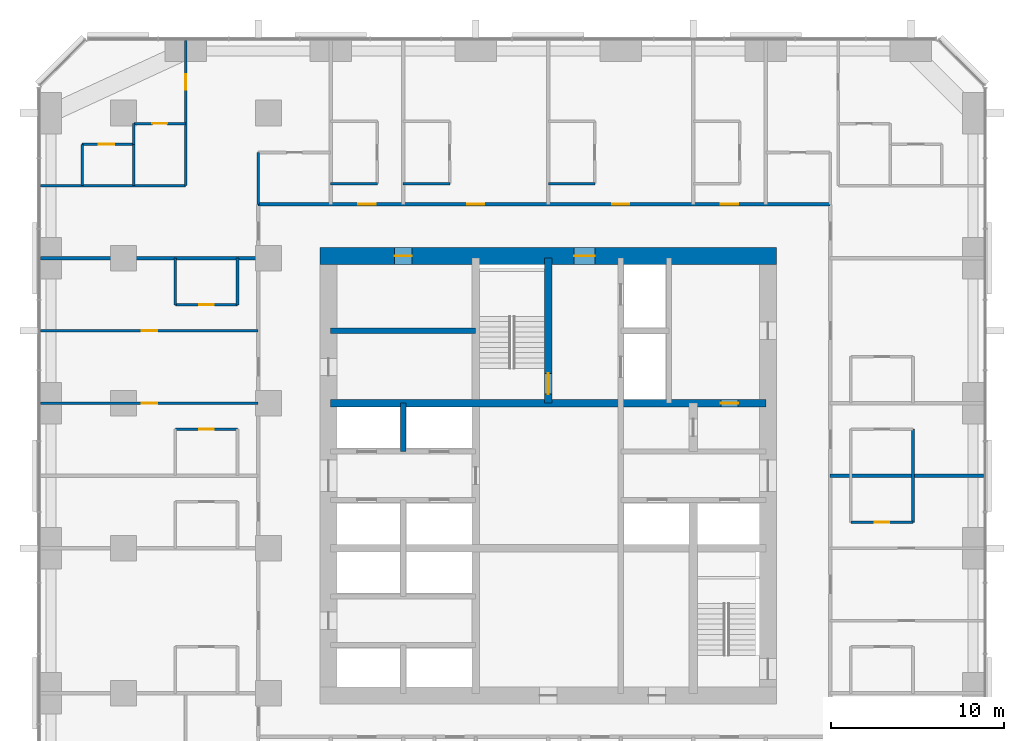
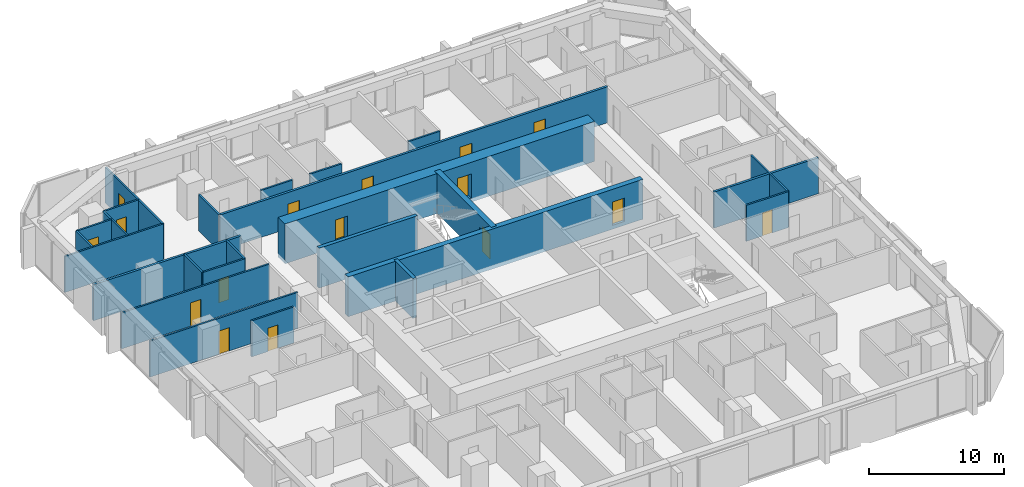
# One storey, part 11 of 14: 27 walls, 16 doors, 16 openings.
"""IFC4 building model written with IfcOpenShell, lengths in metres."""

from ifc_helpers import new_model, si_unit, direction, frame, frame_2d, origin, place, context, subcontext, project, spatial, rectangle, extrude, material, layer, layer_set, type_object, element, fill, save


model = new_model("IFC4")

# Units and contexts
model_context = context("Model", 3, precision=1e-05, world=origin(), true_north=direction((0.0, 1.0)))
body_context = subcontext(model_context, "Body", "Model", "MODEL_VIEW")
ifc_project = project(units=[si_unit("LENGTHUNIT", "METRE"), si_unit("AREAUNIT", "SQUARE_METRE"), si_unit("VOLUMEUNIT", "CUBIC_METRE"), si_unit("PLANEANGLEUNIT", "RADIAN"), si_unit("MASSUNIT", "GRAM", prefix="KILO")], contexts=[model_context])

# Site, building, storey
site_placement = place(None, origin())
site = spatial("IfcSite", under=ifc_project, at=site_placement, CompositionType="ELEMENT")
building_placement = place(site_placement, origin())
building = spatial("IfcBuilding", under=site, at=building_placement, Name="Dunama Terrace Hotel", CompositionType="ELEMENT")
storey_placement = place(building_placement, frame((0.0, 0.0, 140.39990234375)))
storey = spatial("IfcBuildingStorey", under=building, at=storey_placement, Name="L36", CompositionType="ELEMENT", Elevation=140.39990234375)

# Walls
ifc_material_1 = material(Name="Gypsum board partition", Category="masonry")
ifc_layer_1 = layer(ifc_material_1, 0.14990234375)
ifc_layer_set_1 = layer_set([ifc_layer_1], Name="Bathroom partition 150")
wall_type_1 = type_object("IfcWallType", Name="Bathroom partition 150", PredefinedType="PARTITIONING", material=ifc_layer_set_1)
wall_1_placement = place(storey_placement, frame((5.39990234375, 48.60009765625, 0.0), z_axis=(0.0, 0.0, 1.0), x_axis=(0.0, 1.0, 0.0)))
element("IfcWall", 1, at=wall_1_placement, inside=storey, type_object=wall_type_1, Name="Bathroom partition 150 L36", PredefinedType="PARTITIONING", context=body_context, shape_type="SweptSolid", body=[
    extrude(rectangle(XDim=1.199951171875, YDim=0.14990234375, at=frame_2d((0.60009765625, 0.0))), origin(), (0.0, 0.0, 1.0), 3.25),
])
for number, where, z_axis, x_axis, name in (
    (2, (7.800048828125, 39.300048828125, 0.0), (0.0, 0.0, 1.0), (0.0, 1.0, 0.0), "Bathroom partition 150 L36"),
    (3, (11.39990234375, 39.300048828125, 0.0), (0.0, 0.0, 1.0), (0.0, 1.0, 0.0), "Bathroom partition 150 L36"),
):
    element("IfcWall", number, at=place(storey_placement, frame(where, z_axis=z_axis, x_axis=x_axis)), inside=storey, type_object=wall_type_1, Name=name, PredefinedType="PARTITIONING", context=body_context, shape_type="SweptSolid", body=[
        extrude(rectangle(XDim=2.699951171875, YDim=0.14990234375, at=frame_2d((1.35009765625, 0.0))), origin(), (0.0, 0.0, 1.0), 3.25),
    ])
wall_2_placement = place(storey_placement, frame((12.60009765625, 45.125, 0.0), z_axis=(0.0, 0.0, 1.0), x_axis=(0.0, 1.0, 0.0)))
element("IfcWall", 4, at=wall_2_placement, inside=storey, type_object=wall_type_1, Name="Bathroom partition 150 L36", PredefinedType="PARTITIONING", context=body_context, shape_type="SweptSolid", body=[
    extrude(rectangle(XDim=3.0, YDim=0.14990234375, at=frame_2d((1.5, 0.0))), origin(), (0.0, 0.0, 1.0), 3.25),
])
wall_3_placement = place(storey_placement, frame((50.52490234375, 26.699951171875, 0.0), z_axis=(0.0, 0.0, 1.0), x_axis=(0.0, 1.0, 0.0)))
element("IfcWall", 5, at=wall_3_placement, inside=storey, type_object=wall_type_1, Name="Bathroom partition 150 L36", PredefinedType="PARTITIONING", context=body_context, shape_type="SweptSolid", body=[
    extrude(rectangle(XDim=5.400146484375, YDim=0.14990234375, at=frame_2d((2.7001953125, 0.0))), origin(), (0.0, 0.0, 1.0), 3.25),
])

# Wall, opening, door
wall_4_placement = place(storey_placement, frame((46.925048828125, 26.699951171875, 0.0), z_axis=(0.0, 0.0, 1.0), x_axis=(1.0, 0.0, 0.0)))
wall_4 = element("IfcWall", 6, at=wall_4_placement, inside=storey, type_object=wall_type_1, Name="Bathroom partition 150 L36", PredefinedType="PARTITIONING", context=body_context, shape_type="SweptSolid", body=[
    extrude(rectangle(XDim=3.599853515625, YDim=0.14990234375, at=frame_2d((1.7998046875, 0.0))), origin(), (0.0, 0.0, 1.0), 3.25),
])
opening_1_placement = place(wall_4_placement, frame((1.375, 0.0, 0.0)))
opening_1 = element("IfcOpeningElement", 7, at=opening_1_placement, cuts=wall_4, Name="Opening L34-36-027", PredefinedType="OPENING", context=body_context, shape_type="SweptSolid", body=[
    extrude(rectangle(XDim=0.85009765625, YDim=2.10009765625, at=frame_2d((0.425048828125, 1.050048828125))), frame((0.0, 0.0849609375, 0.0), z_axis=(0.0, -1.0, 0.0), x_axis=(1.0, 0.0, 0.0)), (0.0, 0.0, 1.0), 0.169921875),
])
ifc_material_2 = material(Name="Timber door with steel frame", Category="steel")
door_type_1 = type_object("IfcDoorType", Name="Bathroom door 850", OperationType="SINGLE_SWING_LEFT", PredefinedType="DOOR", material=ifc_material_2)
door_1_placement = place(opening_1_placement, origin())
door_1 = element("IfcDoor", 8, at=door_1_placement, inside=storey, type_object=door_type_1, Name="Door to en-suite bathroom L34-36-027, type D2", OperationType="SINGLE_SWING_LEFT", OverallHeight=2.10009765625, OverallWidth=0.85009765625, PredefinedType="DOOR", context=body_context, shape_type="SweptSolid", body=[
    extrude(rectangle(XDim=0.85009765625, YDim=2.10009765625, at=frame_2d((0.425048828125, 1.050048828125))), frame((0.0, 0.02490234375, 0.0), z_axis=(0.0, -1.0, 0.0), x_axis=(1.0, 0.0, 0.0)), (0.0, 0.0, 1.0), 0.050048828125),
])
fill(opening_1, door_1)

wall_5_placement = place(storey_placement, frame((7.800048828125, 32.10009765625, 0.0), z_axis=(0.0, 0.0, 1.0), x_axis=(1.0, 0.0, 0.0)))
wall_5 = element("IfcWall", 9, at=wall_5_placement, inside=storey, type_object=wall_type_1, Name="Bathroom partition 150 L36", PredefinedType="PARTITIONING", context=body_context, shape_type="SweptSolid", body=[
    extrude(rectangle(XDim=3.599853515625, YDim=0.14990234375, at=frame_2d((1.7998046875, 0.0))), origin(), (0.0, 0.0, 1.0), 3.25),
])
opening_2_placement = place(wall_5_placement, frame((1.375, 0.0, 0.0)))
opening_2 = element("IfcOpeningElement", 10, at=opening_2_placement, cuts=wall_5, Name="Opening L34-36-046", PredefinedType="OPENING", context=body_context, shape_type="SweptSolid", body=[
    extrude(rectangle(XDim=0.85009765625, YDim=2.10009765625, at=frame_2d((0.425048828125, 1.050048828125))), frame((0.0, 0.0849609375, 0.0), z_axis=(0.0, -1.0, 0.0), x_axis=(1.0, 0.0, 0.0)), (0.0, 0.0, 1.0), 0.169921875),
])
door_2_placement = place(opening_2_placement, frame((0.85009765625, 0.0, 0.0), z_axis=(0.0, 0.0, 1.0), x_axis=(-1.0, 0.0, 0.0)))
door_2 = element("IfcDoor", 11, at=door_2_placement, inside=storey, type_object=door_type_1, Name="Door to en-suite bathroom L34-36-046, type D2", OperationType="SINGLE_SWING_RIGHT", OverallHeight=2.10009765625, OverallWidth=0.85009765625, PredefinedType="DOOR", context=body_context, shape_type="SweptSolid", body=[
    extrude(rectangle(XDim=0.85009765625, YDim=2.10009765625, at=frame_2d((0.425048828125, 1.050048828125))), frame((0.0, 0.025146484375, 0.0), z_axis=(0.0, -1.0, 0.0), x_axis=(1.0, 0.0, 0.0)), (0.0, 0.0, 1.0), 0.050048828125),
])
fill(opening_2, door_2)

wall_6_placement = place(storey_placement, frame((7.800048828125, 39.300048828125, 0.0), z_axis=(0.0, 0.0, 1.0), x_axis=(1.0, 0.0, 0.0)))
wall_6 = element("IfcWall", 12, at=wall_6_placement, inside=storey, type_object=wall_type_1, Name="Bathroom partition 150 L36", PredefinedType="PARTITIONING", context=body_context, shape_type="SweptSolid", body=[
    extrude(rectangle(XDim=3.599853515625, YDim=0.14990234375, at=frame_2d((1.7998046875, 0.0))), origin(), (0.0, 0.0, 1.0), 3.25),
])
opening_3_placement = place(wall_6_placement, frame((1.375, 0.0, 0.0)))
opening_3 = element("IfcOpeningElement", 13, at=opening_3_placement, cuts=wall_6, Name="Opening L34-36-048", PredefinedType="OPENING", context=body_context, shape_type="SweptSolid", body=[
    extrude(rectangle(XDim=0.85009765625, YDim=2.10009765625, at=frame_2d((0.425048828125, 1.050048828125))), frame((0.0, 0.0849609375, 0.0), z_axis=(0.0, -1.0, 0.0), x_axis=(1.0, 0.0, 0.0)), (0.0, 0.0, 1.0), 0.169921875),
])
door_3_placement = place(opening_3_placement, origin())
door_3 = element("IfcDoor", 14, at=door_3_placement, inside=storey, type_object=door_type_1, Name="Door to en-suite bathroom L34-36-048, type D2", OperationType="SINGLE_SWING_LEFT", OverallHeight=2.10009765625, OverallWidth=0.85009765625, PredefinedType="DOOR", context=body_context, shape_type="SweptSolid", body=[
    extrude(rectangle(XDim=0.85009765625, YDim=2.10009765625, at=frame_2d((0.425048828125, 1.050048828125))), frame((0.0, 0.02490234375, 0.0), z_axis=(0.0, -1.0, 0.0), x_axis=(1.0, 0.0, 0.0)), (0.0, 0.0, 1.0), 0.050048828125),
])
fill(opening_3, door_3)

# Walls
for number, where, z_axis, x_axis, name in (
    (15, (16.800048828125, 46.324951171875, 0.0), (0.0, 0.0, 1.0), (1.0, 0.0, 0.0), "Bathroom partition 150 L36"),
    (16, (21.0, 46.324951171875, 0.0), (0.0, 0.0, 1.0), (1.0, 0.0, 0.0), "Bathroom partition 150 L36"),
):
    element("IfcWall", number, at=place(storey_placement, frame(where, z_axis=z_axis, x_axis=x_axis)), inside=storey, type_object=wall_type_1, Name=name, PredefinedType="PARTITIONING", context=body_context, shape_type="SweptSolid", body=[
        extrude(rectangle(XDim=2.699951171875, YDim=0.14990234375, at=frame_2d((1.35009765625, 0.0))), origin(), (0.0, 0.0, 1.0), 3.25),
    ])
wall_7_placement = place(storey_placement, frame((29.39990234375, 46.324951171875, 0.0), z_axis=(0.0, 0.0, 1.0), x_axis=(1.0, 0.0, 0.0)))
element("IfcWall", 17, at=wall_7_placement, inside=storey, type_object=wall_type_1, Name="Bathroom partition 150 L36", PredefinedType="PARTITIONING", context=body_context, shape_type="SweptSolid", body=[
    extrude(rectangle(XDim=2.7001953125, YDim=0.14990234375, at=frame_2d((1.35009765625, 0.0))), origin(), (0.0, 0.0, 1.0), 3.25),
])

# Wall, opening, door
wall_8_placement = place(storey_placement, frame((5.39990234375, 49.800048828125, 0.0), z_axis=(0.0, 0.0, 1.0), x_axis=(1.0, 0.0, 0.0)))
wall_8 = element("IfcWall", 18, at=wall_8_placement, inside=storey, type_object=wall_type_1, Name="Bathroom partition 150 L36", PredefinedType="PARTITIONING", context=body_context, shape_type="SweptSolid", body=[
    extrude(rectangle(XDim=3.0, YDim=0.14990234375, at=frame_2d((1.5, 0.0))), origin(), (0.0, 0.0, 1.0), 3.25),
])
opening_4_placement = place(wall_8_placement, frame((1.074951171875, 0.0, 0.0)))
opening_4 = element("IfcOpeningElement", 19, at=opening_4_placement, cuts=wall_8, Name="Opening L34-36-068", PredefinedType="OPENING", context=body_context, shape_type="SweptSolid", body=[
    extrude(rectangle(XDim=0.85009765625, YDim=2.10009765625, at=frame_2d((0.425048828125, 1.050048828125))), frame((0.0, 0.0849609375, 0.0), z_axis=(0.0, -1.0, 0.0), x_axis=(1.0, 0.0, 0.0)), (0.0, 0.0, 1.0), 0.169921875),
])
door_4_placement = place(opening_4_placement, frame((0.85009765625, 0.0, 0.0), z_axis=(0.0, 0.0, 1.0), x_axis=(-1.0, 0.0, 0.0)))
door_4 = element("IfcDoor", 20, at=door_4_placement, inside=storey, type_object=door_type_1, Name="Door to en-suite bathroom L34-36-068, type D2", OperationType="SINGLE_SWING_RIGHT", OverallHeight=2.10009765625, OverallWidth=0.85009765625, PredefinedType="DOOR", context=body_context, shape_type="SweptSolid", body=[
    extrude(rectangle(XDim=0.85009765625, YDim=2.10009765625, at=frame_2d((0.425048828125, 1.050048828125))), frame((0.0, 0.025146484375, 0.0), z_axis=(0.0, -1.0, 0.0), x_axis=(1.0, 0.0, 0.0)), (0.0, 0.0, 1.0), 0.050048828125),
])
fill(opening_4, door_4)

# Walls
ifc_material_3 = material(Name="Concrete C50/60", Category="concrete")
ifc_layer_2 = layer(ifc_material_3, 0.300048828125)
ifc_layer_set_2 = layer_set([ifc_layer_2], Name="Core inner wall 300")
wall_type_2 = type_object("IfcWallType", Name="Core inner wall 300", PredefinedType="SHEAR", material=ifc_layer_set_2)
wall_9_placement = place(storey_placement, frame((21.0, 30.800048828125, -0.349853515625), z_axis=(0.0, 0.0, 1.0), x_axis=(0.0, 1.0, 0.0)))
element("IfcWall", 21, at=wall_9_placement, inside=storey, type_object=wall_type_2, Name="Core inner wall 300 L36", PredefinedType="SHEAR", context=body_context, shape_type="SweptSolid", body=[
    extrude(rectangle(XDim=2.800048828125, YDim=0.300048828125, at=frame_2d((1.39990234375, 0.0))), origin(), (0.0, 0.0, 1.0), 3.599853515625),
])
wall_10_placement = place(storey_placement, frame((16.800048828125, 37.800048828125, -0.349853515625), z_axis=(0.0, 0.0, 1.0), x_axis=(1.0, 0.0, 0.0)))
element("IfcWall", 22, at=wall_10_placement, inside=storey, type_object=wall_type_2, Name="Core inner wall 300 L36", PredefinedType="SHEAR", context=body_context, shape_type="SweptSolid", body=[
    extrude(rectangle(XDim=8.39990234375, YDim=0.300048828125, at=frame_2d((4.199951171875, 0.0))), origin(), (0.0, 0.0, 1.0), 3.599853515625),
])

# Wall, opening, door
ifc_material_4 = material(Name="Concrete C50/60", Category="concrete")
ifc_layer_3 = layer(ifc_material_4, 0.449951171875)
ifc_layer_set_3 = layer_set([ifc_layer_3], Name="Core inner wall 450")
wall_type_3 = type_object("IfcWallType", Name="Core inner wall 450", PredefinedType="SHEAR", material=ifc_layer_set_3)
wall_11_placement = place(storey_placement, frame((29.39990234375, 33.60009765625, -0.349853515625), z_axis=(0.0, 0.0, 1.0), x_axis=(0.0, 1.0, 0.0)))
wall_11 = element("IfcWall", 23, at=wall_11_placement, inside=storey, type_object=wall_type_3, Name="Core inner wall 450 L36", PredefinedType="SHEAR", context=body_context, shape_type="SweptSolid", body=[
    extrude(rectangle(XDim=8.39990234375, YDim=0.449951171875, at=frame_2d((4.199951171875, 0.0))), origin(), (0.0, 0.0, 1.0), 3.599853515625),
])
opening_5_placement = place(wall_11_placement, frame((0.52490234375, 0.0, 0.35009765625)))
opening_5 = element("IfcOpeningElement", 24, at=opening_5_placement, cuts=wall_11, Name="Opening L34-36-001", PredefinedType="OPENING", context=body_context, shape_type="SweptSolid", body=[
    extrude(rectangle(XDim=1.199951171875, YDim=2.199951171875, at=frame_2d((0.60009765625, 1.10009765625))), frame((0.0, 0.23486328125, 0.0), z_axis=(0.0, -1.0, 0.0), x_axis=(1.0, 0.0, 0.0)), (0.0, 0.0, 1.0), 0.469970703125),
])
ifc_material_5 = material(Name="Timber door with steel frame", Category="steel")
door_type_2 = type_object("IfcDoorType", Name="Stair door 1200", OperationType="SINGLE_SWING_LEFT", PredefinedType="DOOR", material=ifc_material_5)
door_5_placement = place(opening_5_placement, origin())
door_5 = element("IfcDoor", 25, at=door_5_placement, inside=storey, type_object=door_type_2, Name="Stair door ST1 L34-36-001, type D5", OperationType="SINGLE_SWING_LEFT", OverallHeight=2.199951171875, OverallWidth=1.199951171875, PredefinedType="DOOR", context=body_context, shape_type="SweptSolid", body=[
    extrude(rectangle(XDim=1.199951171875, YDim=2.199951171875, at=frame_2d((0.60009765625, 1.10009765625))), frame((0.0, 0.02490234375, 0.0), z_axis=(0.0, -1.0, 0.0), x_axis=(1.0, 0.0, 0.0)), (0.0, 0.0, 1.0), 0.050048828125),
])
fill(opening_5, door_5)

wall_12_placement = place(storey_placement, frame((16.800048828125, 33.60009765625, -0.349853515625), z_axis=(0.0, 0.0, 1.0), x_axis=(1.0, 0.0, 0.0)))
wall_12 = element("IfcWall", 26, at=wall_12_placement, inside=storey, type_object=wall_type_3, Name="Core inner wall 450 L36", PredefinedType="SHEAR", context=body_context, shape_type="SweptSolid", body=[
    extrude(rectangle(XDim=25.199951171875, YDim=0.449951171875, at=frame_2d((12.60009765625, 0.0))), origin(), (0.0, 0.0, 1.0), 3.599853515625),
])
opening_6_placement = place(wall_12_placement, frame((22.60009765625, 0.0, 0.35009765625)))
opening_6 = element("IfcOpeningElement", 27, at=opening_6_placement, cuts=wall_12, Name="Opening L34-36-076", PredefinedType="OPENING", context=body_context, shape_type="SweptSolid", body=[
    extrude(rectangle(XDim=1.0, YDim=2.10009765625, at=frame_2d((0.5, 1.050048828125))), frame((0.0, 0.23486328125, 0.0), z_axis=(0.0, -1.0, 0.0), x_axis=(1.0, 0.0, 0.0)), (0.0, 0.0, 1.0), 0.469970703125),
])
ifc_material_6 = material(Name="Timber door with steel frame", Category="steel")
door_type_3 = type_object("IfcDoorType", Name="Service door 1000", OperationType="SINGLE_SWING_LEFT", PredefinedType="DOOR", material=ifc_material_6)
door_6_placement = place(opening_6_placement, frame((1.0, 0.0, 0.0), z_axis=(0.0, 0.0, 1.0), x_axis=(-1.0, 0.0, 0.0)))
door_6 = element("IfcDoor", 28, at=door_6_placement, inside=storey, type_object=door_type_3, Name="Door to housekeeping and linen store L34-36-076, type D7", OperationType="SINGLE_SWING_LEFT", OverallHeight=2.10009765625, OverallWidth=1.0, PredefinedType="DOOR", context=body_context, shape_type="SweptSolid", body=[
    extrude(rectangle(XDim=1.0, YDim=2.10009765625, at=frame_2d((0.5, 1.050048828125))), frame((0.0, 0.025146484375, 0.0), z_axis=(0.0, -1.0, 0.0), x_axis=(1.0, 0.0, 0.0)), (0.0, 0.0, 1.0), 0.050048828125),
])
fill(opening_6, door_6)

# Wall, openings, doors
ifc_material_7 = material(Name="Concrete C60/75", Category="concrete")
ifc_layer_4 = layer(ifc_material_7, 1.0)
ifc_layer_set_4 = layer_set([ifc_layer_4], Name="Core wall 1000")
wall_type_4 = type_object("IfcWallType", Name="Core wall 1000", PredefinedType="SHEAR", material=ifc_layer_set_4)
wall_13_placement = place(storey_placement, frame((42.625, 42.125, -0.349853515625), z_axis=(0.0, 0.0, 1.0), x_axis=(-1.0, 0.0, 0.0)))
wall_13 = element("IfcWall", 29, at=wall_13_placement, inside=storey, type_object=wall_type_4, Name="Core wall north L36", PredefinedType="SHEAR", context=body_context, shape_type="SweptSolid", body=[
    extrude(rectangle(XDim=26.449951171875, YDim=1.0, at=frame_2d((13.22509765625, 0.0))), origin(), (0.0, 0.0, 1.0), 3.599853515625),
])
opening_7_placement = place(wall_13_placement, frame((21.125, 0.0, 0.35009765625)))
opening_7 = element("IfcOpeningElement", 30, at=opening_7_placement, cuts=wall_13, Name="Opening L34-36-073", PredefinedType="OPENING", context=body_context, shape_type="SweptSolid", body=[
    extrude(rectangle(XDim=1.0, YDim=2.10009765625, at=frame_2d((0.5, 1.050048828125))), frame((0.0, 0.510009765625, 0.0), z_axis=(0.0, -1.0, 0.0), x_axis=(1.0, 0.0, 0.0)), (0.0, 0.0, 1.0), 1.02001953125),
])
opening_8_placement = place(wall_13_placement, frame((10.52490234375, 0.0, 0.35009765625)))
opening_8 = element("IfcOpeningElement", 31, at=opening_8_placement, cuts=wall_13, Name="Opening L34-36-078", PredefinedType="OPENING", context=body_context, shape_type="SweptSolid", body=[
    extrude(rectangle(XDim=1.199951171875, YDim=2.199951171875, at=frame_2d((0.60009765625, 1.10009765625))), frame((0.0, 0.510009765625, 0.0), z_axis=(0.0, -1.0, 0.0), x_axis=(1.0, 0.0, 0.0)), (0.0, 0.0, 1.0), 1.02001953125),
])
ifc_material_8 = material(Name="Timber door with steel frame", Category="steel")
door_type_4 = type_object("IfcDoorType", Name="Firefighting lobby door 1200", OperationType="SINGLE_SWING_LEFT", PredefinedType="DOOR", material=ifc_material_8)
door_7_placement = place(opening_8_placement, origin())
door_7 = element("IfcDoor", 32, at=door_7_placement, inside=storey, type_object=door_type_4, Name="Door to firefighting lobby L34-36-078, type D4", OperationType="SINGLE_SWING_RIGHT", OverallHeight=2.199951171875, OverallWidth=1.199951171875, PredefinedType="DOOR", context=body_context, shape_type="SweptSolid", body=[
    extrude(rectangle(XDim=1.199951171875, YDim=2.199951171875, at=frame_2d((0.60009765625, 1.10009765625))), frame((0.0, 0.02490234375, 0.0), z_axis=(0.0, -1.0, 0.0), x_axis=(1.0, 0.0, 0.0)), (0.0, 0.0, 1.0), 0.050048828125),
])
fill(opening_8, door_7)
door_8_placement = place(opening_7_placement, origin())
door_8 = element("IfcDoor", 33, at=door_8_placement, inside=storey, type_object=door_type_3, Name="Door to communications and riser room L34-36-073, type D7", OperationType="SINGLE_SWING_LEFT", OverallHeight=2.10009765625, OverallWidth=1.0, PredefinedType="DOOR", context=body_context, shape_type="SweptSolid", body=[
    extrude(rectangle(XDim=1.0, YDim=2.10009765625, at=frame_2d((0.5, 1.050048828125))), frame((0.0, 0.02490234375, 0.0), z_axis=(0.0, -1.0, 0.0), x_axis=(1.0, 0.0, 0.0)), (0.0, 0.0, 1.0), 0.050048828125),
])
fill(opening_7, door_8)

ifc_material_9 = material(Name="Concrete blockwork", Category="masonry")
ifc_layer_5 = layer(ifc_material_9, 0.199951171875)
ifc_layer_set_5 = layer_set([ifc_layer_5], Name="Corridor partition 200")
wall_type_5 = type_object("IfcWallType", Name="Corridor partition 200", PredefinedType="PARTITIONING", material=ifc_layer_set_5)
wall_14_placement = place(storey_placement, frame((12.60009765625, 45.125, 0.0), z_axis=(0.0, 0.0, 1.0), x_axis=(1.0, 0.0, 0.0)))
wall_14 = element("IfcWall", 34, at=wall_14_placement, inside=storey, type_object=wall_type_5, Name="Corridor partition 200 L36", PredefinedType="PARTITIONING", context=body_context, shape_type="SweptSolid", body=[
    extrude(rectangle(XDim=33.125, YDim=0.199951171875, at=frame_2d((16.5625, 0.0))), origin(), (0.0, 0.0, 1.0), 3.25),
])
opening_9_placement = place(wall_14_placement, frame((5.800048828125, 0.0, 0.0)))
opening_9 = element("IfcOpeningElement", 35, at=opening_9_placement, cuts=wall_14, Name="Opening L34-36-032", PredefinedType="OPENING", context=body_context, shape_type="SweptSolid", body=[
    extrude(rectangle(XDim=1.0, YDim=2.199951171875, at=frame_2d((0.5, 1.10009765625))), frame((0.0, 0.10986328125, 0.0), z_axis=(0.0, -1.0, 0.0), x_axis=(1.0, 0.0, 0.0)), (0.0, 0.0, 1.0), 0.219970703125),
])
opening_10_placement = place(wall_14_placement, frame((12.10009765625, 0.0, 0.0)))
opening_10 = element("IfcOpeningElement", 36, at=opening_10_placement, cuts=wall_14, Name="Opening L34-36-034", PredefinedType="OPENING", context=body_context, shape_type="SweptSolid", body=[
    extrude(rectangle(XDim=1.0, YDim=2.199951171875, at=frame_2d((0.5, 1.10009765625))), frame((0.0, 0.10986328125, 0.0), z_axis=(0.0, -1.0, 0.0), x_axis=(1.0, 0.0, 0.0)), (0.0, 0.0, 1.0), 0.219970703125),
])
opening_11_placement = place(wall_14_placement, frame((20.5, 0.0, 0.0)))
opening_11 = element("IfcOpeningElement", 37, at=opening_11_placement, cuts=wall_14, Name="Opening L34-36-036", PredefinedType="OPENING", context=body_context, shape_type="SweptSolid", body=[
    extrude(rectangle(XDim=1.0, YDim=2.199951171875, at=frame_2d((0.5, 1.10009765625))), frame((0.0, 0.10986328125, 0.0), z_axis=(0.0, -1.0, 0.0), x_axis=(1.0, 0.0, 0.0)), (0.0, 0.0, 1.0), 0.219970703125),
])
opening_12_placement = place(wall_14_placement, frame((26.800048828125, 0.0, 0.0)))
opening_12 = element("IfcOpeningElement", 38, at=opening_12_placement, cuts=wall_14, Name="Opening L34-36-038", PredefinedType="OPENING", context=body_context, shape_type="SweptSolid", body=[
    extrude(rectangle(XDim=1.0, YDim=2.199951171875, at=frame_2d((0.5, 1.10009765625))), frame((0.0, 0.10986328125, 0.0), z_axis=(0.0, -1.0, 0.0), x_axis=(1.0, 0.0, 0.0)), (0.0, 0.0, 1.0), 0.219970703125),
])
ifc_material_10 = material(Name="Timber door with steel frame", Category="steel")
door_type_5 = type_object("IfcDoorType", Name="Guest room door 1000", OperationType="SINGLE_SWING_LEFT", PredefinedType="DOOR", material=ifc_material_10)
door_9_placement = place(opening_9_placement, origin())
door_9 = element("IfcDoor", 39, at=door_9_placement, inside=storey, type_object=door_type_5, Name="Door to premier room L34-36-032, type D1", OperationType="SINGLE_SWING_LEFT", OverallHeight=2.199951171875, OverallWidth=1.0, PredefinedType="DOOR", context=body_context, shape_type="SweptSolid", body=[
    extrude(rectangle(XDim=1.0, YDim=2.199951171875, at=frame_2d((0.5, 1.10009765625))), frame((0.0, 0.02490234375, 0.0), z_axis=(0.0, -1.0, 0.0), x_axis=(1.0, 0.0, 0.0)), (0.0, 0.0, 1.0), 0.050048828125),
])
fill(opening_9, door_9)
door_10_placement = place(opening_10_placement, origin())
door_10 = element("IfcDoor", 40, at=door_10_placement, inside=storey, type_object=door_type_5, Name="Door to junior suite L34-36-034, type D1", OperationType="SINGLE_SWING_LEFT", OverallHeight=2.199951171875, OverallWidth=1.0, PredefinedType="DOOR", context=body_context, shape_type="SweptSolid", body=[
    extrude(rectangle(XDim=1.0, YDim=2.199951171875, at=frame_2d((0.5, 1.10009765625))), frame((0.0, 0.02490234375, 0.0), z_axis=(0.0, -1.0, 0.0), x_axis=(1.0, 0.0, 0.0)), (0.0, 0.0, 1.0), 0.050048828125),
])
fill(opening_10, door_10)
door_11_placement = place(opening_11_placement, origin())
door_11 = element("IfcDoor", 41, at=door_11_placement, inside=storey, type_object=door_type_5, Name="Door to junior suite L34-36-036, type D1", OperationType="SINGLE_SWING_LEFT", OverallHeight=2.199951171875, OverallWidth=1.0, PredefinedType="DOOR", context=body_context, shape_type="SweptSolid", body=[
    extrude(rectangle(XDim=1.0, YDim=2.199951171875, at=frame_2d((0.5, 1.10009765625))), frame((0.0, 0.02490234375, 0.0), z_axis=(0.0, -1.0, 0.0), x_axis=(1.0, 0.0, 0.0)), (0.0, 0.0, 1.0), 0.050048828125),
])
fill(opening_11, door_11)
door_12_placement = place(opening_12_placement, origin())
door_12 = element("IfcDoor", 42, at=door_12_placement, inside=storey, type_object=door_type_5, Name="Door to premier room L34-36-038, type D1", OperationType="SINGLE_SWING_LEFT", OverallHeight=2.199951171875, OverallWidth=1.0, PredefinedType="DOOR", context=body_context, shape_type="SweptSolid", body=[
    extrude(rectangle(XDim=1.0, YDim=2.199951171875, at=frame_2d((0.5, 1.10009765625))), frame((0.0, 0.02490234375, 0.0), z_axis=(0.0, -1.0, 0.0), x_axis=(1.0, 0.0, 0.0)), (0.0, 0.0, 1.0), 0.050048828125),
])
fill(opening_12, door_12)

# Walls
ifc_material_11 = material(Name="Concrete blockwork", Category="masonry")
ifc_layer_6 = layer(ifc_material_11, 0.199951171875)
ifc_layer_set_6 = layer_set([ifc_layer_6], Name="Party wall 200")
wall_type_6 = type_object("IfcWallType", Name="Party wall 200", PredefinedType="PARTITIONING", material=ifc_layer_set_6)
wall_15_placement = place(storey_placement, frame((45.72509765625, 29.39990234375, 0.0), z_axis=(0.0, 0.0, 1.0), x_axis=(1.0, 0.0, 0.0)))
element("IfcWall", 43, at=wall_15_placement, inside=storey, type_object=wall_type_6, Name="Party wall 200 L36", PredefinedType="PARTITIONING", context=body_context, shape_type="SweptSolid", body=[
    extrude(rectangle(XDim=8.892822265625, YDim=0.199951171875, at=frame_2d((4.4462890625, 0.0))), origin(), (0.0, 0.0, 1.0), 3.25),
])
wall_16_placement = place(storey_placement, frame((-0.01806640625, 42.0, 0.0), z_axis=(0.0, 0.0, 1.0), x_axis=(1.0, 0.0, 0.0)))
element("IfcWall", 44, at=wall_16_placement, inside=storey, type_object=wall_type_6, Name="Party wall 200 L36", PredefinedType="PARTITIONING", context=body_context, shape_type="SweptSolid", body=[
    extrude(rectangle(XDim=12.6181640625, YDim=0.199951171875, at=frame_2d((6.30908203125, 0.0))), origin(), (0.0, 0.0, 1.0), 3.25),
])
ifc_material_12 = material(Name="Gypsum board partition", Category="masonry")
ifc_layer_7 = layer(ifc_material_12, 0.14990234375)
ifc_layer_set_7 = layer_set([ifc_layer_7], Name="Room partition 150")
wall_type_7 = type_object("IfcWallType", Name="Room partition 150", PredefinedType="PARTITIONING", material=ifc_layer_set_7)
for number, where, z_axis, x_axis, name in (
    (45, (2.39990234375, 46.199951171875, 0.0), (0.0, 0.0, 1.0), (0.0, 1.0, 0.0), "Room partition 150 L36"),
    (46, (5.39990234375, 46.199951171875, 0.0), (0.0, 0.0, 1.0), (0.0, 1.0, 0.0), "Room partition 150 L36"),
):
    element("IfcWall", number, at=place(storey_placement, frame(where, z_axis=z_axis, x_axis=x_axis)), inside=storey, type_object=wall_type_7, Name=name, PredefinedType="PARTITIONING", context=body_context, shape_type="SweptSolid", body=[
        extrude(rectangle(XDim=2.400146484375, YDim=0.14990234375, at=frame_2d((1.2001953125, 0.0))), origin(), (0.0, 0.0, 1.0), 3.25),
    ])

# Wall, opening, door
wall_17_placement = place(storey_placement, frame((8.39990234375, 46.199951171875, 0.0), z_axis=(0.0, 0.0, 1.0), x_axis=(0.0, 1.0, 0.0)))
wall_17 = element("IfcWall", 47, at=wall_17_placement, inside=storey, type_object=wall_type_7, Name="Room partition 150 L36", PredefinedType="PARTITIONING", context=body_context, shape_type="SweptSolid", body=[
    extrude(rectangle(XDim=8.41796875, YDim=0.14990234375, at=frame_2d((4.208984375, 0.0))), origin(), (0.0, 0.0, 1.0), 3.25),
])
opening_13_placement = place(wall_17_placement, frame((5.550048828125, 0.0, 0.0)))
opening_13 = element("IfcOpeningElement", 48, at=opening_13_placement, cuts=wall_17, Name="Opening L34-36-067", PredefinedType="OPENING", context=body_context, shape_type="SweptSolid", body=[
    extrude(rectangle(XDim=0.89990234375, YDim=2.10009765625, at=frame_2d((0.449951171875, 1.050048828125))), frame((0.0, 0.0849609375, 0.0), z_axis=(0.0, -1.0, 0.0), x_axis=(1.0, 0.0, 0.0)), (0.0, 0.0, 1.0), 0.169921875),
])
ifc_material_13 = material(Name="Timber door with steel frame", Category="steel")
door_type_6 = type_object("IfcDoorType", Name="Suite internal door 900", OperationType="SINGLE_SWING_LEFT", PredefinedType="DOOR", material=ifc_material_13)
door_13_placement = place(opening_13_placement, origin())
door_13 = element("IfcDoor", 49, at=door_13_placement, inside=storey, type_object=door_type_6, Name="Door to corner suite bedroom L34-36-067, type D16", OperationType="SINGLE_SWING_RIGHT", OverallHeight=2.10009765625, OverallWidth=0.89990234375, PredefinedType="DOOR", context=body_context, shape_type="SweptSolid", body=[
    extrude(rectangle(XDim=0.89990234375, YDim=2.10009765625, at=frame_2d((0.449951171875, 1.050048828125))), frame((0.0, 0.02490234375, 0.0), z_axis=(0.0, -1.0, 0.0), x_axis=(1.0, 0.0, 0.0)), (0.0, 0.0, 1.0), 0.050048828125),
])
fill(opening_13, door_13)

wall_18_placement = place(storey_placement, frame((-0.01806640625, 33.60009765625, 0.0), z_axis=(0.0, 0.0, 1.0), x_axis=(1.0, 0.0, 0.0)))
wall_18 = element("IfcWall", 50, at=wall_18_placement, inside=storey, type_object=wall_type_7, Name="Room partition 150 L36", PredefinedType="PARTITIONING", context=body_context, shape_type="SweptSolid", body=[
    extrude(rectangle(XDim=12.6181640625, YDim=0.14990234375, at=frame_2d((6.30908203125, 0.0))), origin(), (0.0, 0.0, 1.0), 3.25),
])
opening_14_placement = place(wall_18_placement, frame((5.867919921875, 0.0, 0.0)))
opening_14 = element("IfcOpeningElement", 51, at=opening_14_placement, cuts=wall_18, Name="Opening L34-36-045", PredefinedType="OPENING", context=body_context, shape_type="SweptSolid", body=[
    extrude(rectangle(XDim=0.89990234375, YDim=2.10009765625, at=frame_2d((0.449951171875, 1.050048828125))), frame((0.0, 0.0849609375, 0.0), z_axis=(0.0, -1.0, 0.0), x_axis=(1.0, 0.0, 0.0)), (0.0, 0.0, 1.0), 0.169921875),
])
door_14_placement = place(opening_14_placement, frame((0.89990234375, 0.0, 0.0), z_axis=(0.0, 0.0, 1.0), x_axis=(-1.0, 0.0, 0.0)))
door_14 = element("IfcDoor", 52, at=door_14_placement, inside=storey, type_object=door_type_6, Name="Door to family suite bedroom L34-36-045, type D16", OperationType="SINGLE_SWING_RIGHT", OverallHeight=2.10009765625, OverallWidth=0.89990234375, PredefinedType="DOOR", context=body_context, shape_type="SweptSolid", body=[
    extrude(rectangle(XDim=0.89990234375, YDim=2.10009765625, at=frame_2d((0.449951171875, 1.050048828125))), frame((0.0, 0.025146484375, 0.0), z_axis=(0.0, -1.0, 0.0), x_axis=(1.0, 0.0, 0.0)), (0.0, 0.0, 1.0), 0.050048828125),
])
fill(opening_14, door_14)

wall_19_placement = place(storey_placement, frame((-0.01806640625, 37.800048828125, 0.0), z_axis=(0.0, 0.0, 1.0), x_axis=(1.0, 0.0, 0.0)))
wall_19 = element("IfcWall", 53, at=wall_19_placement, inside=storey, type_object=wall_type_7, Name="Room partition 150 L36", PredefinedType="PARTITIONING", context=body_context, shape_type="SweptSolid", body=[
    extrude(rectangle(XDim=12.6181640625, YDim=0.14990234375, at=frame_2d((6.30908203125, 0.0))), origin(), (0.0, 0.0, 1.0), 3.25),
])
opening_15_placement = place(wall_19_placement, frame((5.867919921875, 0.0, 0.0)))
opening_15 = element("IfcOpeningElement", 54, at=opening_15_placement, cuts=wall_19, Name="Opening L34-36-047", PredefinedType="OPENING", context=body_context, shape_type="SweptSolid", body=[
    extrude(rectangle(XDim=0.89990234375, YDim=2.10009765625, at=frame_2d((0.449951171875, 1.050048828125))), frame((0.0, 0.0849609375, 0.0), z_axis=(0.0, -1.0, 0.0), x_axis=(1.0, 0.0, 0.0)), (0.0, 0.0, 1.0), 0.169921875),
])
door_15_placement = place(opening_15_placement, origin())
door_15 = element("IfcDoor", 55, at=door_15_placement, inside=storey, type_object=door_type_6, Name="Door to family suite second bedroom L34-36-047, type D16", OperationType="SINGLE_SWING_RIGHT", OverallHeight=2.10009765625, OverallWidth=0.89990234375, PredefinedType="DOOR", context=body_context, shape_type="SweptSolid", body=[
    extrude(rectangle(XDim=0.89990234375, YDim=2.10009765625, at=frame_2d((0.449951171875, 1.050048828125))), frame((0.0, 0.02490234375, 0.0), z_axis=(0.0, -1.0, 0.0), x_axis=(1.0, 0.0, 0.0)), (0.0, 0.0, 1.0), 0.050048828125),
])
fill(opening_15, door_15)

# Wall
wall_20_placement = place(storey_placement, frame((-0.01806640625, 46.199951171875, 0.0), z_axis=(0.0, 0.0, 1.0), x_axis=(1.0, 0.0, 0.0)))
element("IfcWall", 56, at=wall_20_placement, inside=storey, type_object=wall_type_7, Name="Room partition 150 L36", PredefinedType="PARTITIONING", context=body_context, shape_type="SweptSolid", body=[
    extrude(rectangle(XDim=8.41796875, YDim=0.14990234375, at=frame_2d((4.208984375, 0.0))), origin(), (0.0, 0.0, 1.0), 3.25),
])

# Wall, opening, door
wall_21_placement = place(storey_placement, frame((2.39990234375, 48.60009765625, 0.0), z_axis=(0.0, 0.0, 1.0), x_axis=(1.0, 0.0, 0.0)))
wall_21 = element("IfcWall", 57, at=wall_21_placement, inside=storey, type_object=wall_type_7, Name="Room partition 150 L36", PredefinedType="PARTITIONING", context=body_context, shape_type="SweptSolid", body=[
    extrude(rectangle(XDim=3.0, YDim=0.14990234375, at=frame_2d((1.5, 0.0))), origin(), (0.0, 0.0, 1.0), 3.25),
])
opening_16_placement = place(wall_21_placement, frame((0.949951171875, 0.0, 0.0)))
opening_16 = element("IfcOpeningElement", 58, at=opening_16_placement, cuts=wall_21, Name="Opening L34-36-069", PredefinedType="OPENING", context=body_context, shape_type="SweptSolid", body=[
    extrude(rectangle(XDim=0.89990234375, YDim=2.10009765625, at=frame_2d((0.449951171875, 1.050048828125))), frame((0.0, 0.0849609375, 0.0), z_axis=(0.0, -1.0, 0.0), x_axis=(1.0, 0.0, 0.0)), (0.0, 0.0, 1.0), 0.169921875),
])
door_16_placement = place(opening_16_placement, frame((0.89990234375, 0.0, 0.0), z_axis=(0.0, 0.0, 1.0), x_axis=(-1.0, 0.0, 0.0)))
door_16 = element("IfcDoor", 59, at=door_16_placement, inside=storey, type_object=door_type_6, Name="Door to dressing room L34-36-069, type D16", OperationType="SINGLE_SWING_RIGHT", OverallHeight=2.10009765625, OverallWidth=0.89990234375, PredefinedType="DOOR", context=body_context, shape_type="SweptSolid", body=[
    extrude(rectangle(XDim=0.89990234375, YDim=2.10009765625, at=frame_2d((0.449951171875, 1.050048828125))), frame((0.0, 0.025146484375, 0.0), z_axis=(0.0, -1.0, 0.0), x_axis=(1.0, 0.0, 0.0)), (0.0, 0.0, 1.0), 0.050048828125),
])
fill(opening_16, door_16)

save(model, "model.ifc")
